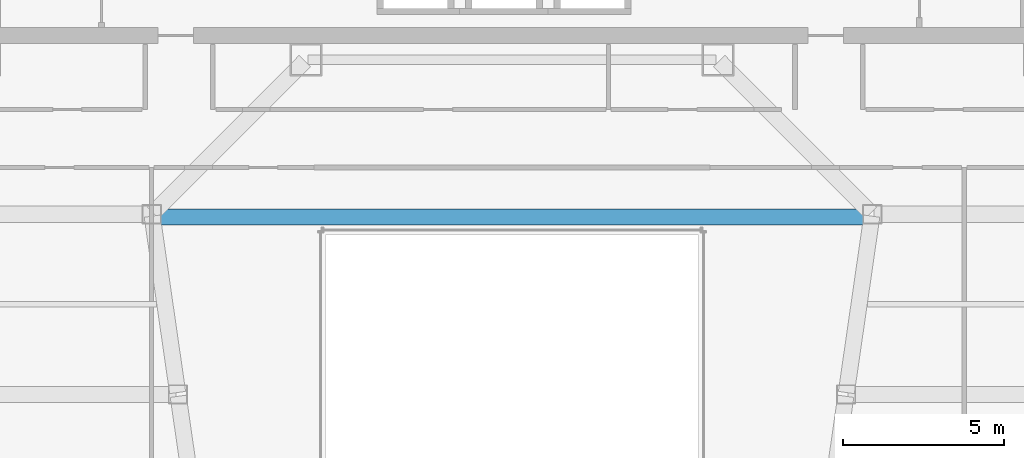
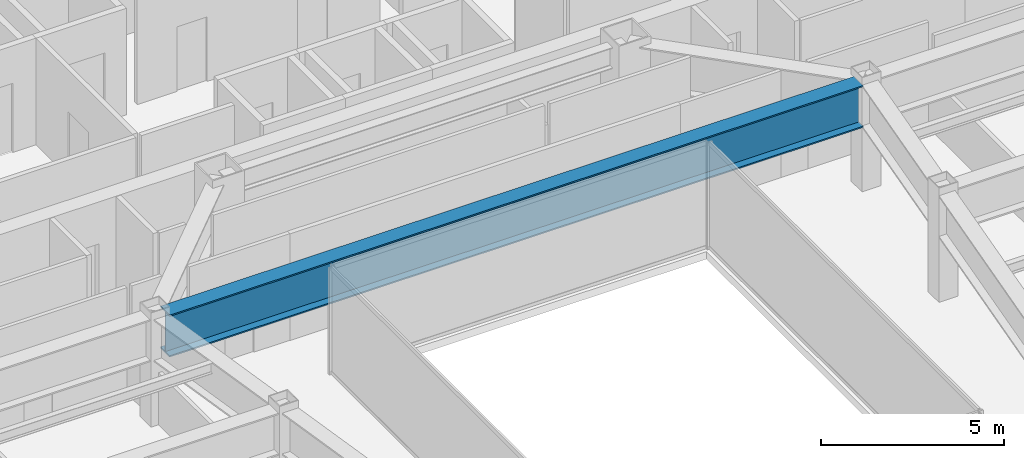
# One storey, part 12 of 37: 1 beam.
"""IFC4 building model written with IfcOpenShell, lengths in metres."""

from ifc_helpers import new_model, si_unit, direction, frame, origin, origin_2d, place, context, subcontext, project, spatial, i_section, extrude, material, material_profile, profile_set, type_object, element, save


model = new_model("IFC4")

# Units and contexts
model_context = context("Model", 3, precision=1e-05, world=origin(), true_north=direction((0.0, 1.0)))
body_context = subcontext(model_context, "Body", "Model", "MODEL_VIEW")
ifc_project = project(units=[si_unit("LENGTHUNIT", "METRE"), si_unit("AREAUNIT", "SQUARE_METRE"), si_unit("VOLUMEUNIT", "CUBIC_METRE"), si_unit("PLANEANGLEUNIT", "RADIAN"), si_unit("MASSUNIT", "GRAM", prefix="KILO")], contexts=[model_context])

# Site, building, storey
site_placement = place(None, origin())
site = spatial("IfcSite", under=ifc_project, at=site_placement, CompositionType="ELEMENT")
building_placement = place(site_placement, origin())
building = spatial("IfcBuilding", under=site, at=building_placement, Name="Saevonmaru Cultural Tower", CompositionType="ELEMENT")
storey_placement = place(building_placement, frame((0.0, 0.0, 163.800048828125)))
storey = spatial("IfcBuildingStorey", under=building, at=storey_placement, Name="L36", CompositionType="ELEMENT", Elevation=163.800048828125)

# Beam
ifc_material = material(Name="Steel HSA600 (600 MPa)", Category="steel")
ifc_material_profile = material_profile(ifc_material, i_section(OverallWidth=0.5, OverallDepth=1.39990234375, WebThickness=0.02392578125, FlangeThickness=0.044921875, at=origin_2d()), Name="PG-1400x500x24x45")
ifc_profile_set = profile_set([ifc_material_profile], Name="Steel HSA600 (600 MPa)")
beam_type = type_object("IfcBeamType", Name="BM-TG-PG1400", PredefinedType="BEAM", material=ifc_profile_set)
beam_placement = place(storey_placement, frame((19.07763671875, 37.52001953125, 2.849853515625), z_axis=(1.0, 0.0, 0.0), x_axis=(0.0, 1.0, 0.0)))
element("IfcBeam", 1, at=beam_placement, inside=storey, type_object=beam_type, Name="L36 Central Link Girder", PredefinedType="BEAM", context=body_context, shape_type="SweptSolid", body=[
    extrude(i_section(OverallWidth=0.5, OverallDepth=1.39990234375, WebThickness=0.02392578125, FlangeThickness=0.044921875, at=origin_2d()), origin(), (0.0, 0.0, 1.0), 21.8447265625),
])

save(model, "model.ifc")
